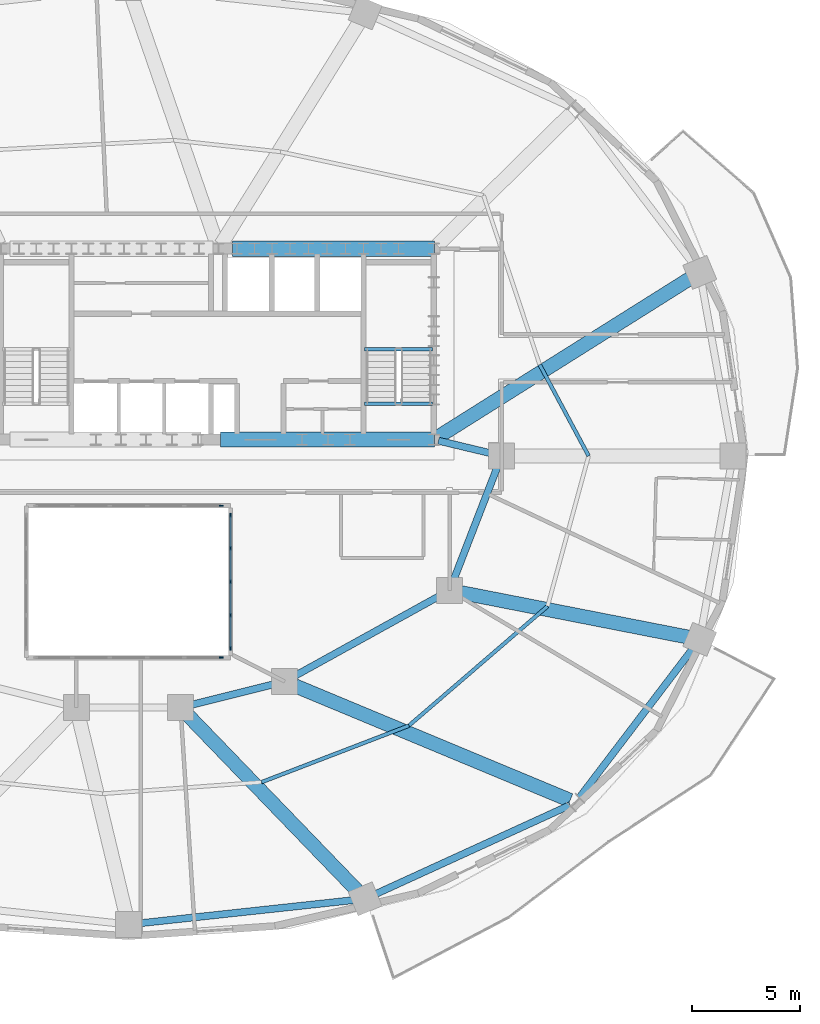
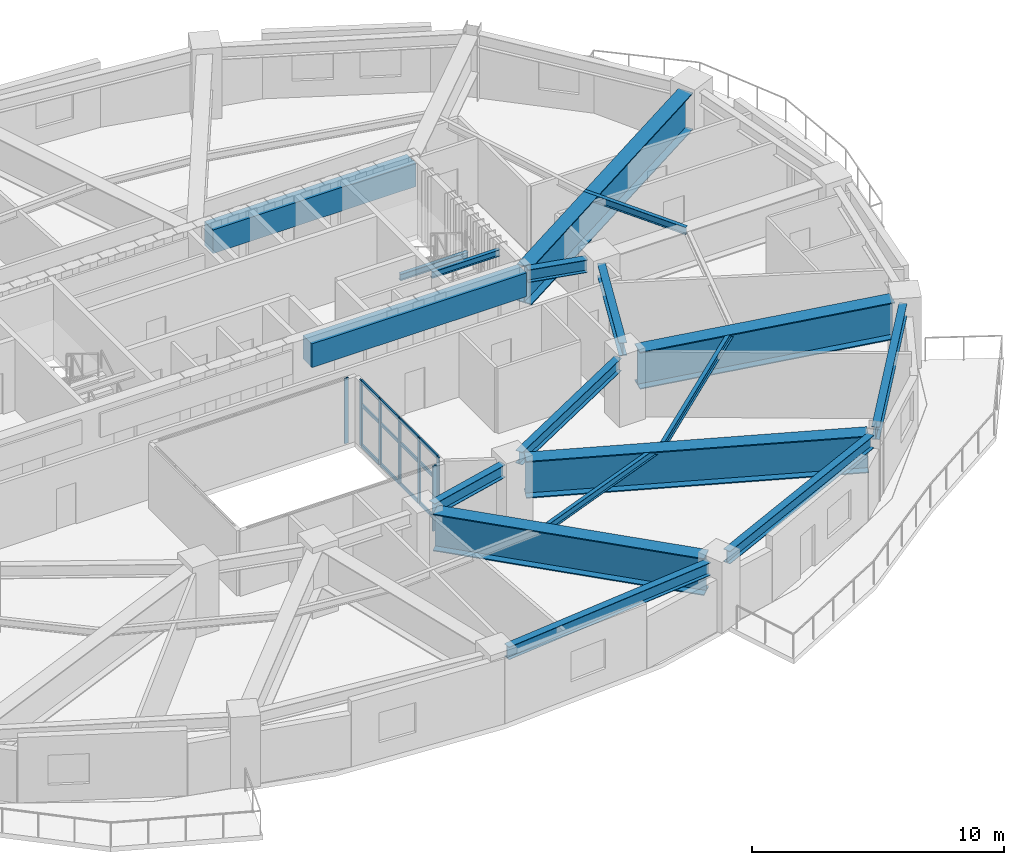
# One storey, part 4 of 13: 19 members, 18 beams, 3 elements without a shape of their own.
"""IFC4 building model written with IfcOpenShell, lengths in metres."""

from ifc_helpers import new_model, si_unit, direction, frame, origin, origin_2d, place, context, subcontext, project, spatial, rectangle, i_section, extrude, material, material_profile, profile_set, type_object, element, aggregate, save


model = new_model("IFC4")

# Units and contexts
model_context = context("Model", 3, precision=1e-05, world=origin(), true_north=direction((0.0, 1.0)))
body_context = subcontext(model_context, "Body", "Model", "MODEL_VIEW")
ifc_project = project(units=[si_unit("LENGTHUNIT", "METRE"), si_unit("AREAUNIT", "SQUARE_METRE"), si_unit("VOLUMEUNIT", "CUBIC_METRE"), si_unit("PLANEANGLEUNIT", "RADIAN"), si_unit("MASSUNIT", "GRAM", prefix="KILO")], contexts=[model_context])

# Site, building, storey
site_placement = place(None, origin())
site = spatial("IfcSite", under=ifc_project, at=site_placement, CompositionType="ELEMENT")
building_placement = place(site_placement, origin())
building = spatial("IfcBuilding", under=site, at=building_placement, Name="Haldorwick Loom Tower", CompositionType="ELEMENT")
storey_placement = place(building_placement, frame((0.0, 0.0, 127.699951171875)))
storey = spatial("IfcBuildingStorey", under=building, at=storey_placement, Name="L34", CompositionType="ELEMENT", Elevation=127.699951171875)

# Curtain wall, member
ifc_material_1 = material(Name="Thermally Broken Anodized Aluminium Curtain Wall Framing", Category="aluminium")
curtain_wall_type = type_object("IfcCurtainWallType", Name="ARC-CW-03", PredefinedType="NOTDEFINED", material=ifc_material_1)
curtain_wall_1_placement = place(storey_placement, origin())
curtain_wall_1 = element("IfcCurtainWall", 1, at=curtain_wall_1_placement, inside=storey, type_object=curtain_wall_type, Name="L34 Atrium Glazed Screen S", PredefinedType="NOTDEFINED")
ifc_material_profile_1 = material_profile(ifc_material_1, rectangle(XDim=0.06591796875, YDim=0.18505859375, at=origin_2d()), Name="ALU_MUL_66X185", Category="aluminium")
ifc_profile_set_1 = profile_set([ifc_material_profile_1], Name="Thermally Broken Anodized Aluminium Curtain Wall Framing")
member_type_1 = type_object("IfcMemberType", Name="ARC-CWM-03", PredefinedType="MULLION", material=ifc_profile_set_1)
member_1_placement = place(storey_placement, frame((40.26708984375, 16.699951171875, 0.0), z_axis=(0.0, 0.0, 1.0), x_axis=(0.0, -1.0, 0.0)))
member_1 = element("IfcMember", 2, at=member_1_placement, type_object=member_type_1, Name="CW-03 mullion 1", PredefinedType="MULLION", context=body_context, shape_type="SweptSolid", body=[
    extrude(rectangle(XDim=0.06591796875, YDim=0.18505859375, at=origin_2d()), origin(), (0.0, 0.0, 1.0), 3.170166015625),
])
aggregate(curtain_wall_1, [member_1])

curtain_wall_2_placement = place(storey_placement, origin())
curtain_wall_2 = element("IfcCurtainWall", 3, at=curtain_wall_2_placement, inside=storey, type_object=curtain_wall_type, Name="L34 Atrium Glazed Screen N", PredefinedType="NOTDEFINED")
member_2_placement = place(storey_placement, frame((40.26708984375, 23.699951171875, 0.0), z_axis=(0.0, 0.0, 1.0), x_axis=(0.0, 1.0, 0.0)))
member_2 = element("IfcMember", 4, at=member_2_placement, type_object=member_type_1, Name="CW-03 mullion 6", PredefinedType="MULLION", context=body_context, shape_type="SweptSolid", body=[
    extrude(rectangle(XDim=0.06591796875, YDim=0.18505859375, at=origin_2d()), origin(), (0.0, 0.0, 1.0), 3.170166015625),
])
aggregate(curtain_wall_2, [member_2])

# Curtain wall, members
curtain_wall_3_placement = place(storey_placement, origin())
curtain_wall_3 = element("IfcCurtainWall", 5, at=curtain_wall_3_placement, inside=storey, type_object=curtain_wall_type, Name="L34 Atrium Glazed Screen E", PredefinedType="NOTDEFINED")
member_3_placement = place(storey_placement, frame((40.699951171875, 23.26708984375, 0.0), z_axis=(0.0, 0.0, 1.0), x_axis=(1.0, 0.0, 0.0)))
member_3 = element("IfcMember", 6, at=member_3_placement, type_object=member_type_1, Name="CW-03 mullion 1", PredefinedType="MULLION", context=body_context, shape_type="SweptSolid", body=[
    extrude(rectangle(XDim=0.06591796875, YDim=0.18505859375, at=origin_2d()), origin(), (0.0, 0.0, 1.0), 3.170166015625),
])
member_4_placement = place(storey_placement, frame((40.699951171875, 21.75, 0.0), z_axis=(0.0, 0.0, 1.0), x_axis=(1.0, 0.0, 0.0)))
member_4 = element("IfcMember", 7, at=member_4_placement, type_object=member_type_1, Name="CW-03 mullion 2", PredefinedType="MULLION", context=body_context, shape_type="SweptSolid", body=[
    extrude(rectangle(XDim=0.06591796875, YDim=0.18505859375, at=origin_2d()), origin(), (0.0, 0.0, 1.0), 3.170166015625),
])
member_5_placement = place(storey_placement, frame((40.699951171875, 20.199951171875, 0.0), z_axis=(0.0, 0.0, 1.0), x_axis=(1.0, 0.0, 0.0)))
member_5 = element("IfcMember", 8, at=member_5_placement, type_object=member_type_1, Name="CW-03 mullion 3", PredefinedType="MULLION", context=body_context, shape_type="SweptSolid", body=[
    extrude(rectangle(XDim=0.06591796875, YDim=0.18505859375, at=origin_2d()), origin(), (0.0, 0.0, 1.0), 3.170166015625),
])
member_6_placement = place(storey_placement, frame((40.699951171875, 18.64990234375, 0.0), z_axis=(0.0, 0.0, 1.0), x_axis=(1.0, 0.0, 0.0)))
member_6 = element("IfcMember", 9, at=member_6_placement, type_object=member_type_1, Name="CW-03 mullion 4", PredefinedType="MULLION", context=body_context, shape_type="SweptSolid", body=[
    extrude(rectangle(XDim=0.06591796875, YDim=0.18505859375, at=origin_2d()), origin(), (0.0, 0.0, 1.0), 3.170166015625),
])
member_7_placement = place(storey_placement, frame((40.699951171875, 17.133056640625, 0.0), z_axis=(0.0, 0.0, 1.0), x_axis=(1.0, 0.0, 0.0)))
member_7 = element("IfcMember", 10, at=member_7_placement, type_object=member_type_1, Name="CW-03 mullion 5", PredefinedType="MULLION", context=body_context, shape_type="SweptSolid", body=[
    extrude(rectangle(XDim=0.06591796875, YDim=0.18505859375, at=origin_2d()), origin(), (0.0, 0.0, 1.0), 3.170166015625),
])
ifc_material_profile_2 = material_profile(ifc_material_1, rectangle(XDim=0.06591796875, YDim=0.1650390625, at=origin_2d()), Name="ALU_TRN_66X165", Category="aluminium")
ifc_profile_set_2 = profile_set([ifc_material_profile_2], Name="Thermally Broken Anodized Aluminium Curtain Wall Framing")
member_type_2 = type_object("IfcMemberType", Name="ARC-CWT-03", PredefinedType="USERDEFINED", material=ifc_profile_set_2)
member_8_placement = place(storey_placement, frame((40.699951171875, 23.23388671875, 0.032958984375), z_axis=(0.0, -1.0, 0.0), x_axis=(1.0, 0.0, 0.0)))
member_8 = element("IfcMember", 11, at=member_8_placement, type_object=member_type_2, Name="CW-03 transom 1.1", ObjectType="TRANSOM", PredefinedType="USERDEFINED", context=body_context, shape_type="SweptSolid", body=[
    extrude(rectangle(XDim=0.06591796875, YDim=0.1650390625, at=origin_2d()), origin(), (0.0, 0.0, 1.0), 1.450927734375),
])
member_9_placement = place(storey_placement, frame((40.699951171875, 23.23388671875, 2.0), z_axis=(0.0, -1.0, 0.0), x_axis=(1.0, 0.0, 0.0)))
member_9 = element("IfcMember", 12, at=member_9_placement, type_object=member_type_2, Name="CW-03 transom 1.2", ObjectType="TRANSOM", PredefinedType="USERDEFINED", context=body_context, shape_type="SweptSolid", body=[
    extrude(rectangle(XDim=0.06591796875, YDim=0.1650390625, at=origin_2d()), origin(), (0.0, 0.0, 1.0), 1.450927734375),
])
member_10_placement = place(storey_placement, frame((40.699951171875, 23.23388671875, 3.136962890625), z_axis=(0.0, -1.0, 0.0), x_axis=(1.0, 0.0, 0.0)))
member_10 = element("IfcMember", 13, at=member_10_placement, type_object=member_type_2, Name="CW-03 transom 1.3", ObjectType="TRANSOM", PredefinedType="USERDEFINED", context=body_context, shape_type="SweptSolid", body=[
    extrude(rectangle(XDim=0.06591796875, YDim=0.1650390625, at=origin_2d()), origin(), (0.0, 0.0, 1.0), 1.450927734375),
])
member_11_placement = place(storey_placement, frame((40.699951171875, 21.717041015625, 0.032958984375), z_axis=(0.0, -1.0, 0.0), x_axis=(1.0, 0.0, 0.0)))
member_11 = element("IfcMember", 14, at=member_11_placement, type_object=member_type_2, Name="CW-03 transom 2.1", ObjectType="TRANSOM", PredefinedType="USERDEFINED", context=body_context, shape_type="SweptSolid", body=[
    extrude(rectangle(XDim=0.06591796875, YDim=0.1650390625, at=origin_2d()), origin(), (0.0, 0.0, 1.0), 1.484130859375),
])
member_12_placement = place(storey_placement, frame((40.699951171875, 21.717041015625, 2.0), z_axis=(0.0, -1.0, 0.0), x_axis=(1.0, 0.0, 0.0)))
member_12 = element("IfcMember", 15, at=member_12_placement, type_object=member_type_2, Name="CW-03 transom 2.2", ObjectType="TRANSOM", PredefinedType="USERDEFINED", context=body_context, shape_type="SweptSolid", body=[
    extrude(rectangle(XDim=0.06591796875, YDim=0.1650390625, at=origin_2d()), origin(), (0.0, 0.0, 1.0), 1.484130859375),
])
member_13_placement = place(storey_placement, frame((40.699951171875, 21.717041015625, 3.136962890625), z_axis=(0.0, -1.0, 0.0), x_axis=(1.0, 0.0, 0.0)))
member_13 = element("IfcMember", 16, at=member_13_placement, type_object=member_type_2, Name="CW-03 transom 2.3", ObjectType="TRANSOM", PredefinedType="USERDEFINED", context=body_context, shape_type="SweptSolid", body=[
    extrude(rectangle(XDim=0.06591796875, YDim=0.1650390625, at=origin_2d()), origin(), (0.0, 0.0, 1.0), 1.484130859375),
])
member_14_placement = place(storey_placement, frame((40.699951171875, 20.1669921875, 0.032958984375), z_axis=(0.0, -1.0, 0.0), x_axis=(1.0, 0.0, 0.0)))
member_14 = element("IfcMember", 17, at=member_14_placement, type_object=member_type_2, Name="CW-03 transom 3.1", ObjectType="TRANSOM", PredefinedType="USERDEFINED", context=body_context, shape_type="SweptSolid", body=[
    extrude(rectangle(XDim=0.06591796875, YDim=0.1650390625, at=origin_2d()), origin(), (0.0, 0.0, 1.0), 1.48388671875),
])
member_15_placement = place(storey_placement, frame((40.699951171875, 20.1669921875, 2.0), z_axis=(0.0, -1.0, 0.0), x_axis=(1.0, 0.0, 0.0)))
member_15 = element("IfcMember", 18, at=member_15_placement, type_object=member_type_2, Name="CW-03 transom 3.2", ObjectType="TRANSOM", PredefinedType="USERDEFINED", context=body_context, shape_type="SweptSolid", body=[
    extrude(rectangle(XDim=0.06591796875, YDim=0.1650390625, at=origin_2d()), origin(), (0.0, 0.0, 1.0), 1.48388671875),
])
member_16_placement = place(storey_placement, frame((40.699951171875, 20.1669921875, 3.136962890625), z_axis=(0.0, -1.0, 0.0), x_axis=(1.0, 0.0, 0.0)))
member_16 = element("IfcMember", 19, at=member_16_placement, type_object=member_type_2, Name="CW-03 transom 3.3", ObjectType="TRANSOM", PredefinedType="USERDEFINED", context=body_context, shape_type="SweptSolid", body=[
    extrude(rectangle(XDim=0.06591796875, YDim=0.1650390625, at=origin_2d()), origin(), (0.0, 0.0, 1.0), 1.48388671875),
])
member_17_placement = place(storey_placement, frame((40.699951171875, 18.616943359375, 0.032958984375), z_axis=(0.0, -1.0, 0.0), x_axis=(1.0, 0.0, 0.0)))
member_17 = element("IfcMember", 20, at=member_17_placement, type_object=member_type_2, Name="CW-03 transom 4.1", ObjectType="TRANSOM", PredefinedType="USERDEFINED", context=body_context, shape_type="SweptSolid", body=[
    extrude(rectangle(XDim=0.06591796875, YDim=0.1650390625, at=origin_2d()), origin(), (0.0, 0.0, 1.0), 1.450927734375),
])
member_18_placement = place(storey_placement, frame((40.699951171875, 18.616943359375, 2.0), z_axis=(0.0, -1.0, 0.0), x_axis=(1.0, 0.0, 0.0)))
member_18 = element("IfcMember", 21, at=member_18_placement, type_object=member_type_2, Name="CW-03 transom 4.2", ObjectType="TRANSOM", PredefinedType="USERDEFINED", context=body_context, shape_type="SweptSolid", body=[
    extrude(rectangle(XDim=0.06591796875, YDim=0.1650390625, at=origin_2d()), origin(), (0.0, 0.0, 1.0), 1.450927734375),
])
member_19_placement = place(storey_placement, frame((40.699951171875, 18.616943359375, 3.136962890625), z_axis=(0.0, -1.0, 0.0), x_axis=(1.0, 0.0, 0.0)))
member_19 = element("IfcMember", 22, at=member_19_placement, type_object=member_type_2, Name="CW-03 transom 4.3", ObjectType="TRANSOM", PredefinedType="USERDEFINED", context=body_context, shape_type="SweptSolid", body=[
    extrude(rectangle(XDim=0.06591796875, YDim=0.1650390625, at=origin_2d()), origin(), (0.0, 0.0, 1.0), 1.450927734375),
])
aggregate(curtain_wall_3, [member_3, member_4, member_5, member_6, member_7, member_8, member_9, member_10, member_11, member_12, member_13, member_14, member_15, member_16, member_17, member_18, member_19])

# Beams
ifc_material_2 = material(Name="Concrete C60 (60 MPa)", Category="concrete")
ifc_material_profile_3 = material_profile(ifc_material_2, rectangle(XDim=0.699951171875, YDim=1.14990234375, at=origin_2d()), Name="RC700X1150", Category="concrete")
ifc_profile_set_3 = profile_set([ifc_material_profile_3], Name="Concrete C60 (60 MPa)")
beam_type_1 = type_object("IfcBeamType", Name="STR-BM-CB1150", PredefinedType="LINTEL", material=ifc_profile_set_3)
beam_1_placement = place(storey_placement, frame((40.800048828125, 35.550048828125, 2.594970703125), z_axis=(1.0, 0.0, 0.0), x_axis=(0.0, 1.0, 0.0)))
element("IfcBeam", 23, at=beam_1_placement, inside=storey, type_object=beam_type_1, Name="L34 Core Coupling Beam CB-N3", PredefinedType="LINTEL", context=body_context, shape_type="SweptSolid", body=[
    extrude(rectangle(XDim=0.699951171875, YDim=1.14990234375, at=origin_2d()), origin(), (0.0, 0.0, 1.0), 9.300048828125),
])
beam_2_placement = place(storey_placement, frame((40.25, 26.75, 2.594970703125), z_axis=(1.0, 0.0, 0.0), x_axis=(0.0, 1.0, 0.0)))
element("IfcBeam", 24, at=beam_2_placement, inside=storey, type_object=beam_type_1, Name="L34 Core Coupling Beam CB-S3", PredefinedType="LINTEL", context=body_context, shape_type="SweptSolid", body=[
    extrude(rectangle(XDim=0.699951171875, YDim=1.14990234375, at=origin_2d()), origin(), (0.0, 0.0, 1.0), 9.85009765625),
])
ifc_material_3 = material(Name="Steel CSA G40.21 350W", Category="steel")
ifc_material_profile_4 = material_profile(ifc_material_3, i_section(OverallWidth=0.172119140625, OverallDepth=0.35791015625, WebThickness=0.0078125, FlangeThickness=0.01318359375, at=origin_2d()), Name="W360X57", Category="steel")
ifc_profile_set_4 = profile_set([ifc_material_profile_4], Name="Steel CSA G40.21 350W")
beam_type_2 = type_object("IfcBeamType", Name="STR-BM-J360", PredefinedType="JOIST", material=ifc_profile_set_4)
beam_3_placement = place(storey_placement, frame((57.20849609375, 26.0, 2.990966796875), z_axis=(-0.472930162238, 0.881099915813, 0.0), x_axis=(-0.881099915813, -0.472930162238, 0.0)))
element("IfcBeam", 25, at=beam_3_placement, inside=storey, type_object=beam_type_2, Name="L34 Mid-Bay Secondary Joist 1", PredefinedType="JOIST", context=body_context, shape_type="SweptSolid", body=[
    extrude(i_section(OverallWidth=0.172119140625, OverallDepth=0.35791015625, WebThickness=0.0078125, FlangeThickness=0.01318359375, at=origin_2d()), origin(), (0.0, 0.0, 1.0), 4.76904296875),
])
beam_4_placement = place(storey_placement, frame((42.13671875, 10.961181640625, 2.990966796875), z_axis=(0.933586737031, 0.358351509609, 0.0), x_axis=(-0.358351509609, 0.933586737031, 0.0)))
element("IfcBeam", 26, at=beam_4_placement, inside=storey, type_object=beam_type_2, Name="L34 Mid-Bay Secondary Joist 14", PredefinedType="JOIST", context=body_context, shape_type="SweptSolid", body=[
    extrude(i_section(OverallWidth=0.172119140625, OverallDepth=0.35791015625, WebThickness=0.0078125, FlangeThickness=0.01318359375, at=origin_2d()), origin(), (0.0, 0.0, 1.0), 7.274169921875),
])
beam_5_placement = place(storey_placement, frame((48.927734375, 13.56787109375, 2.990966796875), z_axis=(0.75763401328, 0.652679631918, 0.0), x_axis=(-0.652679631918, 0.75763401328, 0.0)))
element("IfcBeam", 27, at=beam_5_placement, inside=storey, type_object=beam_type_2, Name="L34 Mid-Bay Secondary Joist 15", PredefinedType="JOIST", context=body_context, shape_type="SweptSolid", body=[
    extrude(i_section(OverallWidth=0.172119140625, OverallDepth=0.35791015625, WebThickness=0.0078125, FlangeThickness=0.01318359375, at=origin_2d()), origin(), (0.0, 0.0, 1.0), 8.4345703125),
])
ifc_material_profile_5 = material_profile(ifc_material_3, i_section(OverallWidth=0.324951171875, OverallDepth=0.615966796875, WebThickness=0.013916015625, FlangeThickness=0.021484375, at=origin_2d()), Name="W610X174", Category="steel")
ifc_profile_set_5 = profile_set([ifc_material_profile_5], Name="Steel CSA G40.21 350W")
beam_type_3 = type_object("IfcBeamType", Name="STR-BM-SP610", PredefinedType="SPANDREL", material=ifc_profile_set_5)
beam_6_placement = place(storey_placement, frame((36.51708984375, 4.45751953125, 2.862060546875), z_axis=(0.994190135627, 0.107638163409, 0.0), x_axis=(-0.107638163409, 0.994190135627, 0.0)))
element("IfcBeam", 28, at=beam_6_placement, inside=storey, type_object=beam_type_3, Name="L34 Perimeter Spandrel 13", PredefinedType="SPANDREL", context=body_context, shape_type="SweptSolid", body=[
    extrude(i_section(OverallWidth=0.324951171875, OverallDepth=0.615966796875, WebThickness=0.013916015625, FlangeThickness=0.021484375, at=origin_2d()), origin(), (0.0, 0.0, 1.0), 9.929931640625),
])
beam_7_placement = place(storey_placement, frame((47.37939453125, 5.798583984375, 2.862060546875), z_axis=(0.909423969306, 0.415870225011, 0.0), x_axis=(-0.415870225011, 0.909423969306, 0.0)))
element("IfcBeam", 29, at=beam_7_placement, inside=storey, type_object=beam_type_3, Name="L34 Perimeter Spandrel 14", PredefinedType="SPANDREL", context=body_context, shape_type="SweptSolid", body=[
    extrude(i_section(OverallWidth=0.324951171875, OverallDepth=0.615966796875, WebThickness=0.013916015625, FlangeThickness=0.021484375, at=origin_2d()), origin(), (0.0, 0.0, 1.0), 9.871337890625),
])
beam_8_placement = place(storey_placement, frame((56.773193359375, 10.2373046875, 2.862060546875), z_axis=(0.605453508047, 0.795880675475, 0.0), x_axis=(-0.795880675475, 0.605453508047, 0.0)))
element("IfcBeam", 30, at=beam_8_placement, inside=storey, type_object=beam_type_3, Name="L34 Perimeter Spandrel 15", PredefinedType="SPANDREL", context=body_context, shape_type="SweptSolid", body=[
    extrude(i_section(OverallWidth=0.324951171875, OverallDepth=0.615966796875, WebThickness=0.013916015625, FlangeThickness=0.021484375, at=origin_2d()), origin(), (0.0, 0.0, 1.0), 8.6591796875),
])
ifc_material_profile_6 = material_profile(ifc_material_3, i_section(OverallWidth=0.166015625, OverallDepth=0.31298828125, WebThickness=0.006591796875, FlangeThickness=0.01123046875, at=origin_2d()), Name="W310X45", Category="steel")
ifc_profile_set_6 = profile_set([ifc_material_profile_6], Name="Steel CSA G40.21 350W")
beam_type_4 = type_object("IfcBeamType", Name="STR-BM-STRM", PredefinedType="BEAM", material=ifc_profile_set_6)
for number, where, z_axis, x_axis, name in (
    (31, (46.889892578125, 28.39990234375, 3.013427734375), (1.0, 0.0, 0.0), (0.0, 1.0, 0.0), "L34 Stair ST-02 Landing Edge Trimmer"),
    (32, (46.889892578125, 30.919921875, 1.36865234375), (1.0, 0.0, 0.0), (0.0, 1.0, 0.0), "L34 Stair ST-02 Half-Landing Trimmer 1"),
):
    element("IfcBeam", number, at=place(storey_placement, frame(where, z_axis=z_axis, x_axis=x_axis)), inside=storey, type_object=beam_type_4, Name=name, PredefinedType="BEAM", context=body_context, shape_type="SweptSolid", body=[
        extrude(i_section(OverallWidth=0.166015625, OverallDepth=0.31298828125, WebThickness=0.006591796875, FlangeThickness=0.01123046875, at=origin_2d()), origin(), (0.0, 0.0, 1.0), 3.1201171875),
    ])
ifc_material_4 = material(Name="Steel CSA G40.21 350WT", Category="steel")
ifc_material_profile_7 = material_profile(ifc_material_4, i_section(OverallWidth=0.64990234375, OverallDepth=1.800048828125, WebThickness=0.02587890625, FlangeThickness=0.048095703125, at=origin_2d()), Name="WWF1800X650", Category="steel")
ifc_profile_set_7 = profile_set([ifc_material_profile_7], Name="Steel CSA G40.21 350WT")
beam_type_5 = type_object("IfcBeamType", Name="STR-BM-TG1800", PredefinedType="BEAM", material=ifc_profile_set_7)
beam_9_placement = place(storey_placement, frame((50.260498046875, 26.86962890625, 2.27001953125), z_axis=(0.846609551433, 0.532214493811, 0.0), x_axis=(-0.532214493811, 0.846609551433, 0.0)))
element("IfcBeam", 33, at=beam_9_placement, inside=storey, type_object=beam_type_5, Name="L34 Setback Inner Transfer Girder 2", PredefinedType="BEAM", context=body_context, shape_type="SweptSolid", body=[
    extrude(i_section(OverallWidth=0.64990234375, OverallDepth=1.800048828125, WebThickness=0.02587890625, FlangeThickness=0.048095703125, at=origin_2d()), origin(), (0.0, 0.0, 1.0), 13.737060546875),
])
beam_10_placement = place(storey_placement, frame((38.760986328125, 14.02587890625, 2.27001953125), z_axis=(0.694287071595, -0.719698174387, 0.0), x_axis=(0.719698174387, 0.694287071595, 0.0)))
element("IfcBeam", 34, at=beam_10_placement, inside=storey, type_object=beam_type_5, Name="L34 Setback Inner Transfer Girder 14", PredefinedType="BEAM", context=body_context, shape_type="SweptSolid", body=[
    extrude(i_section(OverallWidth=0.64990234375, OverallDepth=1.800048828125, WebThickness=0.02587890625, FlangeThickness=0.048095703125, at=origin_2d()), origin(), (0.0, 0.0, 1.0), 11.212158203125),
])
beam_11_placement = place(storey_placement, frame((43.68017578125, 15.400146484375, 2.27001953125), z_axis=(0.923183704764, -0.384359008297, 0.0), x_axis=(0.384359008297, 0.923183704764, 0.0)))
element("IfcBeam", 35, at=beam_11_placement, inside=storey, type_object=beam_type_5, Name="L34 Setback Inner Transfer Girder 15", PredefinedType="BEAM", context=body_context, shape_type="SweptSolid", body=[
    extrude(i_section(OverallWidth=0.64990234375, OverallDepth=1.800048828125, WebThickness=0.02587890625, FlangeThickness=0.048095703125, at=origin_2d()), origin(), (0.0, 0.0, 1.0), 13.72705078125),
])
beam_12_placement = place(storey_placement, frame((51.310302734375, 19.7001953125, 2.27001953125), z_axis=(0.981369581426, -0.192129499692, 0.0), x_axis=(0.192129499692, 0.981369581426, 0.0)))
element("IfcBeam", 36, at=beam_12_placement, inside=storey, type_object=beam_type_5, Name="L34 Setback Inner Transfer Girder 16", PredefinedType="BEAM", context=body_context, shape_type="SweptSolid", body=[
    extrude(i_section(OverallWidth=0.64990234375, OverallDepth=1.800048828125, WebThickness=0.02587890625, FlangeThickness=0.048095703125, at=origin_2d()), origin(), (0.0, 0.0, 1.0), 10.70947265625),
])
ifc_material_profile_8 = material_profile(ifc_material_3, i_section(OverallWidth=0.324951171875, OverallDepth=0.615966796875, WebThickness=0.013916015625, FlangeThickness=0.021484375, at=origin_2d()), Name="W610X174", Category="steel")
ifc_profile_set_8 = profile_set([ifc_material_profile_8], Name="Steel CSA G40.21 350W")
beam_type_6 = type_object("IfcBeamType", Name="STR-BM-W610A", PredefinedType="BEAM", material=ifc_profile_set_8)
beam_13_placement = place(storey_placement, frame((50.288818359375, 26.697509765625, 2.862060546875), z_axis=(0.97247055837, -0.233025777764, 0.0), x_axis=(0.233025777764, 0.97247055837, 0.0)))
element("IfcBeam", 37, at=beam_13_placement, inside=storey, type_object=beam_type_6, Name="L34 Inner Ring Girder 1", PredefinedType="BEAM", context=body_context, shape_type="SweptSolid", body=[
    extrude(i_section(OverallWidth=0.324951171875, OverallDepth=0.615966796875, WebThickness=0.013916015625, FlangeThickness=0.021484375, at=origin_2d()), origin(), (0.0, 0.0, 1.0), 2.4736328125),
])
beam_14_placement = place(storey_placement, frame((53.01220703125, 25.51513671875, 2.862060546875), z_axis=(-0.360964792353, -0.93257944363, 0.0), x_axis=(0.93257944363, -0.360964792353, 0.0)))
element("IfcBeam", 38, at=beam_14_placement, inside=storey, type_object=beam_type_6, Name="L34 Inner Ring Girder 2", PredefinedType="BEAM", context=body_context, shape_type="SweptSolid", body=[
    extrude(i_section(OverallWidth=0.324951171875, OverallDepth=0.615966796875, WebThickness=0.013916015625, FlangeThickness=0.021484375, at=origin_2d()), origin(), (0.0, 0.0, 1.0), 5.6083984375),
])
beam_15_placement = place(storey_placement, frame((50.344970703125, 19.548583984375, 2.862060546875), z_axis=(-0.875244382146, -0.483680960471, 0.0), x_axis=(0.483680960471, -0.875244382146, 0.0)))
element("IfcBeam", 39, at=beam_15_placement, inside=storey, type_object=beam_type_6, Name="L34 Inner Ring Girder 3", PredefinedType="BEAM", context=body_context, shape_type="SweptSolid", body=[
    extrude(i_section(OverallWidth=0.324951171875, OverallDepth=0.615966796875, WebThickness=0.013916015625, FlangeThickness=0.021484375, at=origin_2d()), origin(), (0.0, 0.0, 1.0), 7.6435546875),
])
beam_16_placement = place(storey_placement, frame((42.695556640625, 15.473876953125, 2.862060546875), z_axis=(-0.970142500145, -0.242535625036, 0.0), x_axis=(0.242535625036, -0.970142500145, 0.0)))
element("IfcBeam", 40, at=beam_16_placement, inside=storey, type_object=beam_type_6, Name="L34 Inner Ring Girder 4", PredefinedType="BEAM", context=body_context, shape_type="SweptSolid", body=[
    extrude(i_section(OverallWidth=0.324951171875, OverallDepth=0.615966796875, WebThickness=0.013916015625, FlangeThickness=0.021484375, at=origin_2d()), origin(), (0.0, 0.0, 1.0), 3.90771484375),
])

save(model, "model.ifc")
